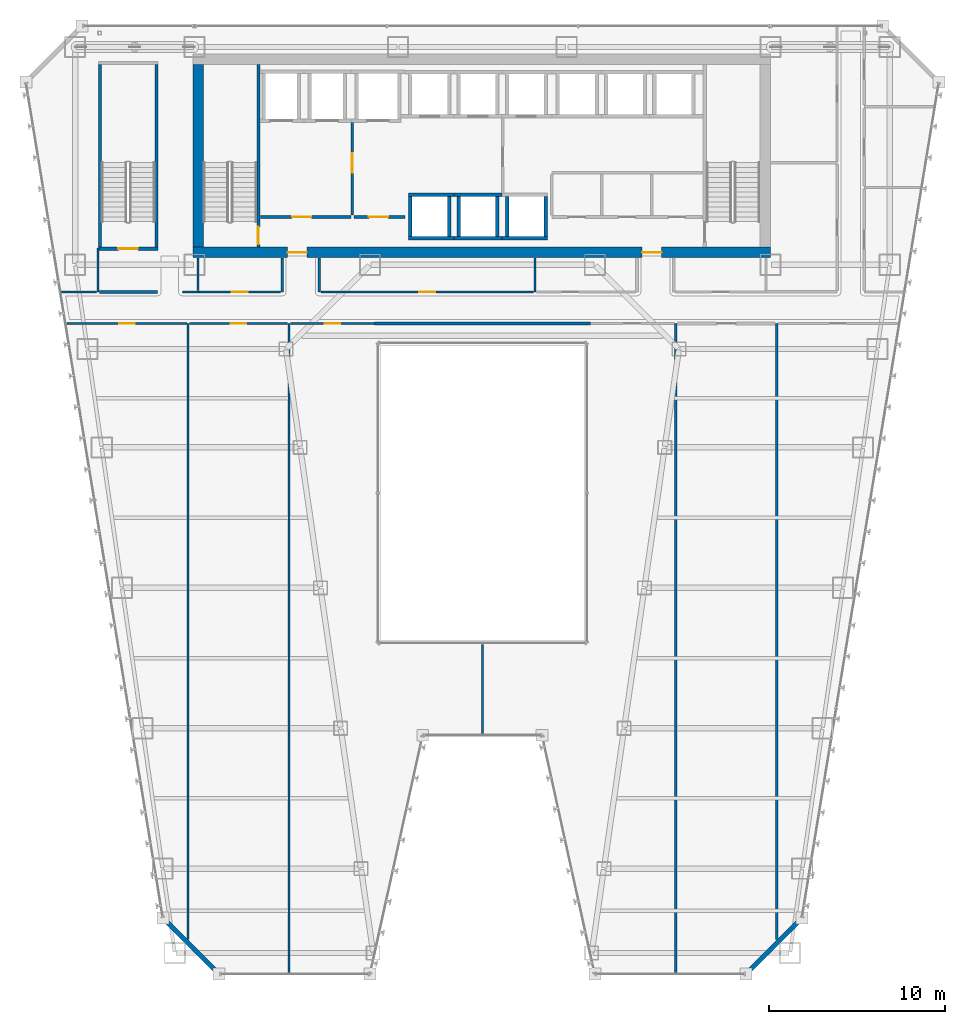
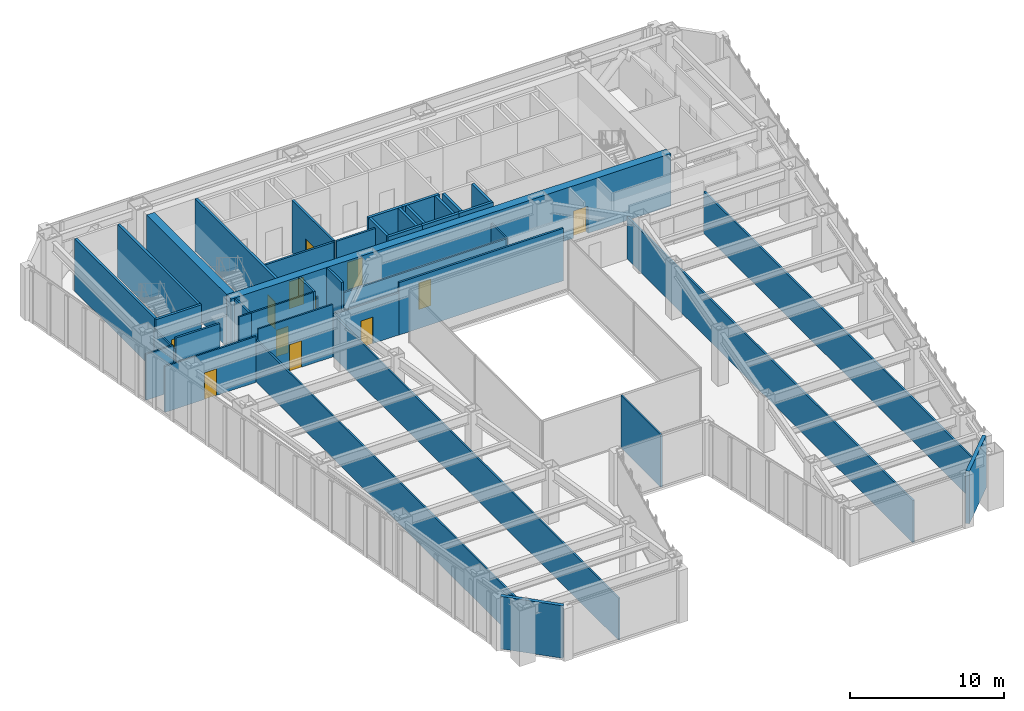
# One storey, part 36 of 49: 41 walls, 12 doors, 12 openings.
"""IFC4 building model written with IfcOpenShell, lengths in metres."""

from ifc_helpers import new_model, si_unit, direction, frame, frame_2d, origin, place, context, subcontext, project, spatial, rectangle, extrude, material, layer, layer_set, type_object, element, fill, save


model = new_model("IFC4")

# Units and contexts
model_context = context("Model", 3, precision=1e-05, world=origin(), true_north=direction((0.0, 1.0)))
body_context = subcontext(model_context, "Body", "Model", "MODEL_VIEW")
ifc_project = project(units=[si_unit("LENGTHUNIT", "METRE"), si_unit("AREAUNIT", "SQUARE_METRE"), si_unit("VOLUMEUNIT", "CUBIC_METRE"), si_unit("PLANEANGLEUNIT", "RADIAN"), si_unit("MASSUNIT", "GRAM", prefix="KILO")], contexts=[model_context])

# Site, building, storey
site_placement = place(None, origin())
site = spatial("IfcSite", under=ifc_project, at=site_placement, CompositionType="ELEMENT")
building_placement = place(site_placement, origin())
building = spatial("IfcBuilding", under=site, at=building_placement, Name="Saevonmaru Cultural Tower", CompositionType="ELEMENT")
storey_placement = place(building_placement, frame((0.0, 0.0, 73.60009765625)))
storey = spatial("IfcBuildingStorey", under=building, at=storey_placement, Name="L15", CompositionType="ELEMENT", Elevation=73.60009765625)

# Wall, openings, doors
ifc_material_1 = material(Name="Concrete C60/75", Category="concrete")
ifc_layer_1 = layer(ifc_material_1, 0.60009765625, Name="Concrete C60/75")
ifc_layer_set_1 = layer_set([ifc_layer_1], Name="Concrete C60/75")
wall_type_1 = type_object("IfcWallType", Name="WL-CORE-600", PredefinedType="SHEAR", material=ifc_layer_set_1)
wall_1_placement = place(storey_placement, frame((13.5, 43.10009765625, 0.0), z_axis=(0.0, 0.0, 1.0), x_axis=(1.0, 0.0, 0.0)))
wall_1 = element("IfcWall", 1, at=wall_1_placement, inside=storey, type_object=wall_type_1, Name="L15 Tower RC core shear wall S", PredefinedType="SHEAR", context=body_context, shape_type="SweptSolid", body=[
    extrude(rectangle(XDim=32.89990234375, YDim=0.60009765625, at=frame_2d((16.449951171875, 0.0))), origin(), (0.0, 0.0, 1.0), 4.14990234375),
])
opening_1_placement = place(wall_1_placement, frame((5.39990234375, 0.0, 0.0)))
opening_1 = element("IfcOpeningElement", 2, at=opening_1_placement, cuts=wall_1, Name="Opening FD-2", PredefinedType="OPENING", context=body_context, shape_type="SweptSolid", body=[
    extrude(rectangle(XDim=1.10009765625, YDim=2.14990234375, at=frame_2d((0.550048828125, 1.074951171875))), frame((0.0, 0.31005859375, 0.0), z_axis=(0.0, -1.0, 0.0), x_axis=(1.0, 0.0, 0.0)), (0.0, 0.0, 1.0), 0.6201171875),
])
opening_2_placement = place(wall_1_placement, frame((25.60009765625, 0.0, 0.0)))
opening_2 = element("IfcOpeningElement", 3, at=opening_2_placement, cuts=wall_1, Name="Opening FD-2", PredefinedType="OPENING", context=body_context, shape_type="SweptSolid", body=[
    extrude(rectangle(XDim=1.10009765625, YDim=2.14990234375, at=frame_2d((0.550048828125, 1.074951171875))), frame((0.0, 0.31005859375, 0.0), z_axis=(0.0, -1.0, 0.0), x_axis=(1.0, 0.0, 0.0)), (0.0, 0.0, 1.0), 0.6201171875),
])
ifc_material_2 = material(Name="Satin Bronze Anodised Aluminium", Category="aluminium")
door_type_1 = type_object("IfcDoorType", Name="DR-FD60-1100", OperationType="SINGLE_SWING_LEFT", PredefinedType="DOOR", material=ifc_material_2)
door_1_placement = place(opening_1_placement, origin())
door_1 = element("IfcDoor", 4, at=door_1_placement, inside=storey, type_object=door_type_1, Name="L15 Core West Lobby Fire Door", OperationType="SINGLE_SWING_LEFT", OverallHeight=2.14990234375, OverallWidth=1.10009765625, PredefinedType="DOOR", context=body_context, shape_type="SweptSolid", body=[
    extrude(rectangle(XDim=1.10009765625, YDim=2.14990234375, at=frame_2d((0.550048828125, 1.074951171875))), frame((0.0, 0.02490234375, 0.0), z_axis=(0.0, -1.0, 0.0), x_axis=(1.0, 0.0, 0.0)), (0.0, 0.0, 1.0), 0.050048828125),
])
fill(opening_1, door_1)
door_2_placement = place(opening_2_placement, origin())
door_2 = element("IfcDoor", 5, at=door_2_placement, inside=storey, type_object=door_type_1, Name="L15 Core East Lobby Fire Door", OperationType="SINGLE_SWING_LEFT", OverallHeight=2.14990234375, OverallWidth=1.10009765625, PredefinedType="DOOR", context=body_context, shape_type="SweptSolid", body=[
    extrude(rectangle(XDim=1.10009765625, YDim=2.14990234375, at=frame_2d((0.550048828125, 1.074951171875))), frame((0.0, 0.02490234375, 0.0), z_axis=(0.0, -1.0, 0.0), x_axis=(1.0, 0.0, 0.0)), (0.0, 0.0, 1.0), 0.050048828125),
])
fill(opening_2, door_2)

# Wall
wall_2_placement = place(storey_placement, frame((13.800048828125, 43.39990234375, 0.0), z_axis=(0.0, 0.0, 1.0), x_axis=(0.0, 1.0, 0.0)))
element("IfcWall", 6, at=wall_2_placement, inside=storey, type_object=wall_type_1, Name="L15 Tower RC core shear wall W", PredefinedType="SHEAR", context=body_context, shape_type="SweptSolid", body=[
    extrude(rectangle(XDim=10.400146484375, YDim=0.60009765625, at=frame_2d((5.2001953125, 0.0))), origin(), (0.0, 0.0, 1.0), 4.14990234375),
])

# Wall, opening, door
ifc_material_3 = material(Name="Gypsum Fireboard Partition", Category="gypsum")
ifc_layer_2 = layer(ifc_material_3, 0.14990234375, Name="Gypsum Fireboard Partition")
ifc_layer_set_2 = layer_set([ifc_layer_2], Name="Gypsum Fireboard Partition")
wall_type_2 = type_object("IfcWallType", Name="WL-CORE-PART-150", PredefinedType="PARTITIONING", material=ifc_layer_set_2)
wall_3_placement = place(storey_placement, frame((17.360107421875, 45.1201171875, 0.0), z_axis=(0.0, 0.0, 1.0), x_axis=(1.0, 0.0, 0.0)))
wall_3 = element("IfcWall", 7, at=wall_3_placement, inside=storey, type_object=wall_type_2, Name="L15 Firefighting Lift Lobby South Wall", PredefinedType="PARTITIONING", context=body_context, shape_type="SweptSolid", body=[
    extrude(rectangle(XDim=5.139892578125, YDim=0.14990234375, at=frame_2d((2.56982421875, 0.0))), origin(), (0.0, 0.0, 1.0), 4.14990234375),
])
opening_3_placement = place(wall_3_placement, frame((1.800048828125, 0.0, 0.0)))
opening_3 = element("IfcOpeningElement", 8, at=opening_3_placement, cuts=wall_3, Name="Opening FD-2", PredefinedType="OPENING", context=body_context, shape_type="SweptSolid", body=[
    extrude(rectangle(XDim=1.10009765625, YDim=2.14990234375, at=frame_2d((0.550048828125, 1.074951171875))), frame((0.0, 0.0849609375, 0.0), z_axis=(0.0, -1.0, 0.0), x_axis=(1.0, 0.0, 0.0)), (0.0, 0.0, 1.0), 0.169921875),
])
door_3_placement = place(opening_3_placement, origin())
door_3 = element("IfcDoor", 9, at=door_3_placement, inside=storey, type_object=door_type_1, Name="L15 Firefighting Lift Lobby South Door", OperationType="SINGLE_SWING_LEFT", OverallHeight=2.14990234375, OverallWidth=1.10009765625, PredefinedType="DOOR", context=body_context, shape_type="SweptSolid", body=[
    extrude(rectangle(XDim=1.10009765625, YDim=2.14990234375, at=frame_2d((0.550048828125, 1.074951171875))), frame((0.0, 0.02490234375, 0.0), z_axis=(0.0, -1.0, 0.0), x_axis=(1.0, 0.0, 0.0)), (0.0, 0.0, 1.0), 0.050048828125),
])
fill(opening_3, door_3)

wall_4_placement = place(storey_placement, frame((22.580078125, 50.550048828125, 0.0), z_axis=(0.0, 0.0, 1.0), x_axis=(0.0, -1.0, 0.0)))
wall_4 = element("IfcWall", 10, at=wall_4_placement, inside=storey, type_object=wall_type_2, Name="L15 Firefighting Lift Lobby East Wall", PredefinedType="PARTITIONING", context=body_context, shape_type="SweptSolid", body=[
    extrude(rectangle(XDim=5.330078125, YDim=0.14990234375, at=frame_2d((2.6650390625, 0.0))), origin(), (0.0, 0.0, 1.0), 4.14990234375),
])
opening_4_placement = place(wall_4_placement, frame((1.800048828125, 0.0, 0.0)))
opening_4 = element("IfcOpeningElement", 11, at=opening_4_placement, cuts=wall_4, Name="Opening FD-2", PredefinedType="OPENING", context=body_context, shape_type="SweptSolid", body=[
    extrude(rectangle(XDim=1.10009765625, YDim=2.14990234375, at=frame_2d((0.550048828125, 1.074951171875))), frame((0.0, 0.0849609375, 0.0), z_axis=(0.0, -1.0, 0.0), x_axis=(1.0, 0.0, 0.0)), (0.0, 0.0, 1.0), 0.169921875),
])
door_4_placement = place(opening_4_placement, origin())
door_4 = element("IfcDoor", 12, at=door_4_placement, inside=storey, type_object=door_type_1, Name="L15 Firefighting Lift Lobby East Door", OperationType="SINGLE_SWING_LEFT", OverallHeight=2.14990234375, OverallWidth=1.10009765625, PredefinedType="DOOR", context=body_context, shape_type="SweptSolid", body=[
    extrude(rectangle(XDim=1.10009765625, YDim=2.14990234375, at=frame_2d((0.550048828125, 1.074951171875))), frame((0.0, 0.02490234375, 0.0), z_axis=(0.0, -1.0, 0.0), x_axis=(1.0, 0.0, 0.0)), (0.0, 0.0, 1.0), 0.050048828125),
])
fill(opening_4, door_4)

wall_5_placement = place(storey_placement, frame((22.679931640625, 45.1201171875, 0.0), z_axis=(0.0, 0.0, 1.0), x_axis=(1.0, 0.0, 0.0)))
wall_5 = element("IfcWall", 13, at=wall_5_placement, inside=storey, type_object=wall_type_2, Name="L15 Service Lift Vestibule Wall", PredefinedType="PARTITIONING", context=body_context, shape_type="SweptSolid", body=[
    extrude(rectangle(XDim=2.920166015625, YDim=0.14990234375, at=frame_2d((1.4599609375, 0.0))), origin(), (0.0, 0.0, 1.0), 4.14990234375),
])
opening_5_placement = place(wall_5_placement, frame((0.85009765625, 0.0, 0.0)))
opening_5 = element("IfcOpeningElement", 14, at=opening_5_placement, cuts=wall_5, Name="Opening FD-2", PredefinedType="OPENING", context=body_context, shape_type="SweptSolid", body=[
    extrude(rectangle(XDim=1.10009765625, YDim=2.14990234375, at=frame_2d((0.550048828125, 1.074951171875))), frame((0.0, 0.0849609375, 0.0), z_axis=(0.0, -1.0, 0.0), x_axis=(1.0, 0.0, 0.0)), (0.0, 0.0, 1.0), 0.169921875),
])
door_5_placement = place(opening_5_placement, origin())
door_5 = element("IfcDoor", 15, at=door_5_placement, inside=storey, type_object=door_type_1, Name="L15 Service Lift Vestibule Door", OperationType="SINGLE_SWING_LEFT", OverallHeight=2.14990234375, OverallWidth=1.10009765625, PredefinedType="DOOR", context=body_context, shape_type="SweptSolid", body=[
    extrude(rectangle(XDim=1.10009765625, YDim=2.14990234375, at=frame_2d((0.550048828125, 1.074951171875))), frame((0.0, 0.02490234375, 0.0), z_axis=(0.0, -1.0, 0.0), x_axis=(1.0, 0.0, 0.0)), (0.0, 0.0, 1.0), 0.050048828125),
])
fill(opening_5, door_5)

# Walls
ifc_material_4 = material(Name="Granite-Clad Precast Concrete C40/50", Category="masonry")
ifc_layer_3 = layer(ifc_material_4, 0.260009765625, Name="Granite-Clad Precast Concrete C40/50")
ifc_layer_set_3 = layer_set([ifc_layer_3], Name="Granite-Clad Precast Concrete C40/50")
wall_type_3 = type_object("IfcWallType", Name="WL-EXT-SPANDREL-260", PredefinedType="STANDARD", material=ifc_layer_set_3)
for number, where, z_axis, x_axis, name in (
    (16, (11.9130859375, 5.0869140625, 0.0), (0.0, 0.0, 1.0), (0.707106781187, -0.707106781187, 0.0), "L15 Chamfer Corner Spandrel Wall E1"),
    (17, (45.113037109375, 2.113037109375, 0.0), (0.0, 0.0, 1.0), (0.707106781187, 0.707106781187, 0.0), "L15 Chamfer Corner Spandrel Wall E7"),
):
    element("IfcWall", number, at=place(storey_placement, frame(where, z_axis=z_axis, x_axis=x_axis)), inside=storey, type_object=wall_type_3, Name=name, PredefinedType="STANDARD", context=body_context, shape_type="SweptSolid", body=[
        extrude(rectangle(XDim=4.205810546875, YDim=0.260009765625, at=frame_2d((2.10302734375, 0.0))), origin(), (0.0, 0.0, 1.0), 4.14990234375),
    ])
ifc_layer_4 = layer(ifc_material_3, 0.14990234375, Name="Gypsum Fireboard Partition")
ifc_layer_set_4 = layer_set([ifc_layer_4], Name="Gypsum Fireboard Partition")
wall_type_4 = type_object("IfcWallType", Name="WL-PART-FIRE-150", PredefinedType="PARTITIONING", material=ifc_layer_set_4)
wall_6_placement = place(storey_placement, frame((8.179931640625, 40.85009765625, 0.0), z_axis=(0.0, 0.0, 1.0), x_axis=(1.0, 0.0, 0.0)))
element("IfcWall", 18, at=wall_6_placement, inside=storey, type_object=wall_type_4, Name="L15 Stair ST-3 South Vestibule Wall", PredefinedType="PARTITIONING", context=body_context, shape_type="SweptSolid", body=[
    extrude(rectangle(XDim=3.300048828125, YDim=0.14990234375, at=frame_2d((1.64990234375, 0.0))), origin(), (0.0, 0.0, 1.0), 4.14990234375),
])
for number, where, z_axis, x_axis, name in (
    (19, (18.60009765625, 40.85009765625, 0.0), (0.0, 0.0, 1.0), (0.0, 1.0, 0.0), "L15 Core Portal Side Wall W1"),
    (20, (20.699951171875, 40.85009765625, 0.0), (0.0, 0.0, 1.0), (0.0, 1.0, 0.0), "L15 Core Portal Side Wall W2"),
):
    element("IfcWall", number, at=place(storey_placement, frame(where, z_axis=z_axis, x_axis=x_axis)), inside=storey, type_object=wall_type_4, Name=name, PredefinedType="PARTITIONING", context=body_context, shape_type="SweptSolid", body=[
        extrude(rectangle(XDim=1.929931640625, YDim=0.14990234375, at=frame_2d((0.96484375, 0.0))), origin(), (0.0, 0.0, 1.0), 4.14990234375),
    ])
wall_7_placement = place(storey_placement, frame((23.85009765625, 39.050048828125, 0.0), z_axis=(0.0, 0.0, 1.0), x_axis=(1.0, 0.0, 0.0)))
element("IfcWall", 21, at=wall_7_placement, inside=storey, type_object=wall_type_4, Name="L15 North Atrium Corridor Wall", PredefinedType="PARTITIONING", context=body_context, shape_type="SweptSolid", body=[
    extrude(rectangle(XDim=12.2998046875, YDim=0.14990234375, at=frame_2d((6.14990234375, 0.0))), origin(), (0.0, 0.0, 1.0), 4.14990234375),
])
ifc_layer_5 = layer(ifc_material_3, 0.1201171875, Name="Gypsum Fireboard Partition")
ifc_layer_set_5 = layer_set([ifc_layer_5], Name="Gypsum Fireboard Partition")
wall_type_5 = type_object("IfcWallType", Name="WL-PART-GYP-120", PredefinedType="PARTITIONING", material=ifc_layer_set_5)
wall_8_placement = place(storey_placement, frame((12.919921875, 40.85009765625, 0.0), z_axis=(0.0, 0.0, 1.0), x_axis=(1.0, 0.0, 0.0)))
element("IfcWall", 22, at=wall_8_placement, inside=storey, type_object=wall_type_5, Name="L15 NW Inner South Wall", PredefinedType="PARTITIONING", context=body_context, shape_type="SweptSolid", body=[
    extrude(rectangle(XDim=0.93017578125, YDim=0.1201171875, at=frame_2d((0.465087890625, 0.0))), origin(), (0.0, 0.0, 1.0), 4.14990234375),
])
wall_9_placement = place(storey_placement, frame((13.800048828125, 40.929931640625, 0.0), z_axis=(0.0, 0.0, 1.0), x_axis=(0.0, 1.0, 0.0)))
element("IfcWall", 23, at=wall_9_placement, inside=storey, type_object=wall_type_5, Name="L15 NW Inner Core Return", PredefinedType="PARTITIONING", context=body_context, shape_type="SweptSolid", body=[
    extrude(rectangle(XDim=1.85009765625, YDim=0.1201171875, at=frame_2d((0.925048828125, 0.0))), origin(), (0.0, 0.0, 1.0), 4.14990234375),
])
wall_10_placement = place(storey_placement, frame((8.10009765625, 40.85009765625, 0.0), z_axis=(0.0, 0.0, 1.0), x_axis=(0.0, 1.0, 0.0)))
element("IfcWall", 24, at=wall_10_placement, inside=storey, type_object=wall_type_5, Name="L15 NW Stair Return", PredefinedType="PARTITIONING", context=body_context, shape_type="SweptSolid", body=[
    extrude(rectangle(XDim=2.5, YDim=0.1201171875, at=frame_2d((1.25, 0.0))), origin(), (0.0, 0.0, 1.0), 3.3349609375),
])
wall_11_placement = place(storey_placement, frame((5.96337890625, 40.85009765625, 0.0), z_axis=(0.0, 0.0, 1.0), x_axis=(1.0, 0.0, 0.0)))
element("IfcWall", 25, at=wall_11_placement, inside=storey, type_object=wall_type_5, Name="L15 Printmaking Workshop Classroom Corridor Wall", PredefinedType="PARTITIONING", context=body_context, shape_type="SweptSolid", body=[
    extrude(rectangle(XDim=2.056640625, YDim=0.1201171875, at=frame_2d((1.0283203125, 0.0))), origin(), (0.0, 0.0, 1.0), 3.635009765625),
])

# Wall, opening, door
wall_12_placement = place(storey_placement, frame((13.85009765625, 40.85009765625, 0.0), z_axis=(0.0, 0.0, 1.0), x_axis=(1.0, 0.0, 0.0)))
wall_12 = element("IfcWall", 26, at=wall_12_placement, inside=storey, type_object=wall_type_5, Name="L15 Design Seminar Classroom Corridor Wall", PredefinedType="PARTITIONING", context=body_context, shape_type="SweptSolid", body=[
    extrude(rectangle(XDim=4.65478515625, YDim=0.1201171875, at=frame_2d((2.327392578125, 0.0))), origin(), (0.0, 0.0, 1.0), 4.14990234375),
])
opening_6_placement = place(wall_12_placement, frame((1.876953125, 0.0, 0.0)))
opening_6 = element("IfcOpeningElement", 27, at=opening_6_placement, cuts=wall_12, Name="Opening ID-2", PredefinedType="OPENING", context=body_context, shape_type="SweptSolid", body=[
    extrude(rectangle(XDim=0.89990234375, YDim=2.10009765625, at=frame_2d((0.449951171875, 1.050048828125))), frame((0.0, 0.070068359375, 0.0), z_axis=(0.0, -1.0, 0.0), x_axis=(1.0, 0.0, 0.0)), (0.0, 0.0, 1.0), 0.14013671875),
])
ifc_material_5 = material(Name="Acoustic Stained Oak Timber", Category="wood")
door_type_2 = type_object("IfcDoorType", Name="DR-INT-900", OperationType="SINGLE_SWING_RIGHT", PredefinedType="DOOR", material=ifc_material_5)
door_6_placement = place(opening_6_placement, origin())
door_6 = element("IfcDoor", 28, at=door_6_placement, inside=storey, type_object=door_type_2, Name="L15 Design Seminar Classroom Door", OperationType="SINGLE_SWING_LEFT", OverallHeight=2.10009765625, OverallWidth=0.89990234375, PredefinedType="DOOR", context=body_context, shape_type="SweptSolid", body=[
    extrude(rectangle(XDim=0.89990234375, YDim=2.10009765625, at=frame_2d((0.449951171875, 1.050048828125))), frame((0.0, 0.02490234375, 0.0), z_axis=(0.0, -1.0, 0.0), x_axis=(1.0, 0.0, 0.0)), (0.0, 0.0, 1.0), 0.050048828125),
])
fill(opening_6, door_6)

# Wall
wall_13_placement = place(storey_placement, frame((33.0, 40.85009765625, 0.0), z_axis=(0.0, 0.0, 1.0), x_axis=(0.0, 1.0, 0.0)))
element("IfcWall", 29, at=wall_13_placement, inside=storey, type_object=wall_type_5, Name="L15 Spine Alcove Split", PredefinedType="PARTITIONING", context=body_context, shape_type="SweptSolid", body=[
    extrude(rectangle(XDim=1.929931640625, YDim=0.1201171875, at=frame_2d((0.96484375, 0.0))), origin(), (0.0, 0.0, 1.0), 3.3349609375),
])

# Wall, opening, door
wall_14_placement = place(storey_placement, frame((20.794921875, 40.85009765625, 0.0), z_axis=(0.0, 0.0, 1.0), x_axis=(1.0, 0.0, 0.0)))
wall_14 = element("IfcWall", 30, at=wall_14_placement, inside=storey, type_object=wall_type_5, Name="L15 Design Seminar Classroom Corridor Wall", PredefinedType="PARTITIONING", context=body_context, shape_type="SweptSolid", body=[
    extrude(rectangle(XDim=12.125, YDim=0.1201171875, at=frame_2d((6.0625, 0.0))), origin(), (0.0, 0.0, 1.0), 3.3349609375),
])
opening_7_placement = place(wall_14_placement, frame((5.612060546875, 0.0, 0.0)))
opening_7 = element("IfcOpeningElement", 31, at=opening_7_placement, cuts=wall_14, Name="Opening ID-2", PredefinedType="OPENING", context=body_context, shape_type="SweptSolid", body=[
    extrude(rectangle(XDim=0.89990234375, YDim=2.10009765625, at=frame_2d((0.449951171875, 1.050048828125))), frame((0.0, 0.070068359375, 0.0), z_axis=(0.0, -1.0, 0.0), x_axis=(1.0, 0.0, 0.0)), (0.0, 0.0, 1.0), 0.14013671875),
])
door_7_placement = place(opening_7_placement, origin())
door_7 = element("IfcDoor", 32, at=door_7_placement, inside=storey, type_object=door_type_2, Name="L15 Design Seminar Classroom Door", OperationType="SINGLE_SWING_RIGHT", OverallHeight=2.10009765625, OverallWidth=0.89990234375, PredefinedType="DOOR", context=body_context, shape_type="SweptSolid", body=[
    extrude(rectangle(XDim=0.89990234375, YDim=2.10009765625, at=frame_2d((0.449951171875, 1.050048828125))), frame((0.0, 0.02490234375, 0.0), z_axis=(0.0, -1.0, 0.0), x_axis=(1.0, 0.0, 0.0)), (0.0, 0.0, 1.0), 0.050048828125),
])
fill(opening_7, door_7)

# Walls
wall_15_placement = place(storey_placement, frame((13.239990234375, 3.97216796875, 0.0), z_axis=(0.0, 0.0, 1.0), x_axis=(0.0, 1.0, 0.0)))
element("IfcWall", 33, at=wall_15_placement, inside=storey, type_object=wall_type_5, Name="L15 West Bay Divider 1", PredefinedType="PARTITIONING", context=body_context, shape_type="SweptSolid", body=[
    extrude(rectangle(XDim=35.077880859375, YDim=0.1201171875, at=frame_2d((17.5390625, 0.0))), origin(), (0.0, 0.0, 1.0), 3.3349609375),
])
wall_16_placement = place(storey_placement, frame((18.97998046875, 2.0048828125, 0.0), z_axis=(0.0, 0.0, 1.0), x_axis=(0.0, 1.0, 0.0)))
element("IfcWall", 34, at=wall_16_placement, inside=storey, type_object=wall_type_5, Name="L15 West Bay Divider 2", PredefinedType="PARTITIONING", context=body_context, shape_type="SweptSolid", body=[
    extrude(rectangle(XDim=37.045166015625, YDim=0.1201171875, at=frame_2d((18.5224609375, 0.0))), origin(), (0.0, 0.0, 1.0), 3.3349609375),
])
wall_17_placement = place(storey_placement, frame((30.0, 15.60498046875, 0.0), z_axis=(0.0, 0.0, 1.0), x_axis=(0.0, 1.0, 0.0)))
element("IfcWall", 35, at=wall_17_placement, inside=storey, type_object=wall_type_5, Name="L15 South Atrium Center Split", PredefinedType="PARTITIONING", context=body_context, shape_type="SweptSolid", body=[
    extrude(rectangle(XDim=5.175048828125, YDim=0.1201171875, at=frame_2d((2.58740234375, 0.0))), origin(), (0.0, 0.0, 1.0), 4.14990234375),
])

# Wall, opening, door
wall_18_placement = place(storey_placement, frame((6.348388671875, 39.050048828125, 0.0), z_axis=(0.0, 0.0, 1.0), x_axis=(1.0, 0.0, 0.0)))
wall_18 = element("IfcWall", 36, at=wall_18_placement, inside=storey, type_object=wall_type_5, Name="L15 Design Seminar Classroom Corridor Wall", PredefinedType="PARTITIONING", context=body_context, shape_type="SweptSolid", body=[
    extrude(rectangle(XDim=6.8115234375, YDim=0.1201171875, at=frame_2d((3.40576171875, 0.0))), origin(), (0.0, 0.0, 1.0), 3.635009765625),
])
opening_8_placement = place(wall_18_placement, frame((2.9560546875, 0.0, 0.0)))
opening_8 = element("IfcOpeningElement", 37, at=opening_8_placement, cuts=wall_18, Name="Opening ID-2", PredefinedType="OPENING", context=body_context, shape_type="SweptSolid", body=[
    extrude(rectangle(XDim=0.89990234375, YDim=2.10009765625, at=frame_2d((0.449951171875, 1.050048828125))), frame((0.0, 0.070068359375, 0.0), z_axis=(0.0, -1.0, 0.0), x_axis=(1.0, 0.0, 0.0)), (0.0, 0.0, 1.0), 0.14013671875),
])
door_8_placement = place(opening_8_placement, origin())
door_8 = element("IfcDoor", 38, at=door_8_placement, inside=storey, type_object=door_type_2, Name="L15 Design Seminar Classroom Door", OperationType="SINGLE_SWING_LEFT", OverallHeight=2.10009765625, OverallWidth=0.89990234375, PredefinedType="DOOR", context=body_context, shape_type="SweptSolid", body=[
    extrude(rectangle(XDim=0.89990234375, YDim=2.10009765625, at=frame_2d((0.449951171875, 1.050048828125))), frame((0.0, 0.02490234375, 0.0), z_axis=(0.0, -1.0, 0.0), x_axis=(1.0, 0.0, 0.0)), (0.0, 0.0, 1.0), 0.050048828125),
])
fill(opening_8, door_8)

wall_19_placement = place(storey_placement, frame((13.320068359375, 39.050048828125, 0.0), z_axis=(0.0, 0.0, 1.0), x_axis=(1.0, 0.0, 0.0)))
wall_19 = element("IfcWall", 39, at=wall_19_placement, inside=storey, type_object=wall_type_5, Name="L15 Printmaking Workshop Classroom Corridor Wall", PredefinedType="PARTITIONING", context=body_context, shape_type="SweptSolid", body=[
    extrude(rectangle(XDim=5.579833984375, YDim=0.1201171875, at=frame_2d((2.7900390625, 0.0))), origin(), (0.0, 0.0, 1.0), 4.14990234375),
])
opening_9_placement = place(wall_19_placement, frame((2.340087890625, 0.0, 0.0)))
opening_9 = element("IfcOpeningElement", 40, at=opening_9_placement, cuts=wall_19, Name="Opening ID-2", PredefinedType="OPENING", context=body_context, shape_type="SweptSolid", body=[
    extrude(rectangle(XDim=0.89990234375, YDim=2.10009765625, at=frame_2d((0.449951171875, 1.050048828125))), frame((0.0, 0.070068359375, 0.0), z_axis=(0.0, -1.0, 0.0), x_axis=(1.0, 0.0, 0.0)), (0.0, 0.0, 1.0), 0.14013671875),
])
door_9_placement = place(opening_9_placement, origin())
door_9 = element("IfcDoor", 41, at=door_9_placement, inside=storey, type_object=door_type_2, Name="L15 Printmaking Workshop Classroom Door", OperationType="SINGLE_SWING_RIGHT", OverallHeight=2.10009765625, OverallWidth=0.89990234375, PredefinedType="DOOR", context=body_context, shape_type="SweptSolid", body=[
    extrude(rectangle(XDim=0.89990234375, YDim=2.10009765625, at=frame_2d((0.449951171875, 1.050048828125))), frame((0.0, 0.02490234375, 0.0), z_axis=(0.0, -1.0, 0.0), x_axis=(1.0, 0.0, 0.0)), (0.0, 0.0, 1.0), 0.050048828125),
])
fill(opening_9, door_9)

wall_20_placement = place(storey_placement, frame((19.06005859375, 39.050048828125, 0.0), z_axis=(0.0, 0.0, 1.0), x_axis=(1.0, 0.0, 0.0)))
wall_20 = element("IfcWall", 42, at=wall_20_placement, inside=storey, type_object=wall_type_5, Name="L15 Typography Design Classroom Corridor Wall", PredefinedType="PARTITIONING", context=body_context, shape_type="SweptSolid", body=[
    extrude(rectangle(XDim=4.7900390625, YDim=0.1201171875, at=frame_2d((2.39501953125, 0.0))), origin(), (0.0, 0.0, 1.0), 3.3349609375),
])
opening_10_placement = place(wall_20_placement, frame((1.945068359375, 0.0, 0.0)))
opening_10 = element("IfcOpeningElement", 43, at=opening_10_placement, cuts=wall_20, Name="Opening ID-2", PredefinedType="OPENING", context=body_context, shape_type="SweptSolid", body=[
    extrude(rectangle(XDim=0.89990234375, YDim=2.10009765625, at=frame_2d((0.449951171875, 1.050048828125))), frame((0.0, 0.070068359375, 0.0), z_axis=(0.0, -1.0, 0.0), x_axis=(1.0, 0.0, 0.0)), (0.0, 0.0, 1.0), 0.14013671875),
])
door_10_placement = place(opening_10_placement, origin())
door_10 = element("IfcDoor", 44, at=door_10_placement, inside=storey, type_object=door_type_2, Name="L15 Typography Design Classroom Door", OperationType="SINGLE_SWING_LEFT", OverallHeight=2.10009765625, OverallWidth=0.89990234375, PredefinedType="DOOR", context=body_context, shape_type="SweptSolid", body=[
    extrude(rectangle(XDim=0.89990234375, YDim=2.10009765625, at=frame_2d((0.449951171875, 1.050048828125))), frame((0.0, 0.02490234375, 0.0), z_axis=(0.0, -1.0, 0.0), x_axis=(1.0, 0.0, 0.0)), (0.0, 0.0, 1.0), 0.050048828125),
])
fill(opening_10, door_10)

# Walls
ifc_layer_6 = layer(ifc_material_3, 0.135009765625, Name="Gypsum Fireboard Partition")
ifc_layer_set_6 = layer_set([ifc_layer_6], Name="Gypsum Fireboard Partition")
wall_type_6 = type_object("IfcWallType", Name="WL-PART-GYP-135", PredefinedType="PARTITIONING", material=ifc_layer_set_6)
wall_21_placement = place(storey_placement, frame((41.02001953125, 2.0048828125, 0.0), z_axis=(0.0, 0.0, 1.0), x_axis=(0.0, 1.0, 0.0)))
element("IfcWall", 45, at=wall_21_placement, inside=storey, type_object=wall_type_6, Name="L15 East Bay Divider 1", PredefinedType="PARTITIONING", context=body_context, shape_type="SweptSolid", body=[
    extrude(rectangle(XDim=37.045166015625, YDim=0.135009765625, at=frame_2d((18.5224609375, 0.0))), origin(), (0.0, 0.0, 1.0), 3.3349609375),
])
wall_22_placement = place(storey_placement, frame((46.760009765625, 3.97216796875, 0.0), z_axis=(0.0, 0.0, 1.0), x_axis=(0.0, 1.0, 0.0)))
element("IfcWall", 46, at=wall_22_placement, inside=storey, type_object=wall_type_6, Name="L15 East Bay Divider 2", PredefinedType="PARTITIONING", context=body_context, shape_type="SweptSolid", body=[
    extrude(rectangle(XDim=35.077880859375, YDim=0.135009765625, at=frame_2d((17.5390625, 0.0))), origin(), (0.0, 0.0, 1.0), 3.3349609375),
])
ifc_material_6 = material(Name="Concrete C40/50", Category="concrete")
ifc_layer_7 = layer(ifc_material_6, 0.199951171875, Name="Concrete C40/50")
ifc_layer_set_7 = layer_set([ifc_layer_7], Name="Concrete C40/50")
wall_type_7 = type_object("IfcWallType", Name="WL-SHAFT-200", PredefinedType="SHEAR", material=ifc_layer_set_7)
for number, where, z_axis, x_axis, name in (
    (47, (25.800048828125, 43.89990234375, 0.0), (0.0, 0.0, 1.0), (1.0, 0.0, 0.0), "L15 Lift PL-M1 Hoistway Wall S"),
    (48, (25.800048828125, 46.39990234375, 0.0), (0.0, 0.0, 1.0), (1.0, 0.0, 0.0), "L15 Lift PL-M1 Hoistway Wall N"),
):
    element("IfcWall", number, at=place(storey_placement, frame(where, z_axis=z_axis, x_axis=x_axis)), inside=storey, type_object=wall_type_7, Name=name, PredefinedType="SHEAR", context=body_context, shape_type="SweptSolid", body=[
        extrude(rectangle(XDim=2.574951171875, YDim=0.199951171875, at=frame_2d((1.28759765625, 0.0))), origin(), (0.0, 0.0, 1.0), 4.14990234375),
    ])
for number, where, z_axis, x_axis, name in (
    (49, (25.89990234375, 44.0, 0.0), (0.0, 0.0, 1.0), (0.0, 1.0, 0.0), "L15 Lift PL-M1 Hoistway Wall W"),
    (50, (28.10009765625, 44.0, 0.0), (0.0, 0.0, 1.0), (0.0, 1.0, 0.0), "L15 Lift PL-M1 Hoistway Wall E"),
):
    element("IfcWall", number, at=place(storey_placement, frame(where, z_axis=z_axis, x_axis=x_axis)), inside=storey, type_object=wall_type_7, Name=name, PredefinedType="SHEAR", context=body_context, shape_type="SweptSolid", body=[
        extrude(rectangle(XDim=2.300048828125, YDim=0.199951171875, at=frame_2d((1.14990234375, 0.0))), origin(), (0.0, 0.0, 1.0), 4.14990234375),
    ])
for number, where, z_axis, x_axis, name in (
    (51, (28.375, 43.89990234375, 0.0), (0.0, 0.0, 1.0), (1.0, 0.0, 0.0), "L15 Lift PL-M2 Hoistway Wall S"),
    (52, (28.375, 46.39990234375, 0.0), (0.0, 0.0, 1.0), (1.0, 0.0, 0.0), "L15 Lift PL-M2 Hoistway Wall N"),
):
    element("IfcWall", number, at=place(storey_placement, frame(where, z_axis=z_axis, x_axis=x_axis)), inside=storey, type_object=wall_type_7, Name=name, PredefinedType="SHEAR", context=body_context, shape_type="SweptSolid", body=[
        extrude(rectangle(XDim=2.75, YDim=0.199951171875, at=frame_2d((1.375, 0.0))), origin(), (0.0, 0.0, 1.0), 4.14990234375),
    ])
for number, where, z_axis, x_axis, name in (
    (53, (28.64990234375, 44.0, 0.0), (0.0, 0.0, 1.0), (0.0, 1.0, 0.0), "L15 Lift PL-M2 Hoistway Wall W"),
    (54, (30.85009765625, 44.0, 0.0), (0.0, 0.0, 1.0), (0.0, 1.0, 0.0), "L15 Lift PL-M2 Hoistway Wall E"),
):
    element("IfcWall", number, at=place(storey_placement, frame(where, z_axis=z_axis, x_axis=x_axis)), inside=storey, type_object=wall_type_7, Name=name, PredefinedType="SHEAR", context=body_context, shape_type="SweptSolid", body=[
        extrude(rectangle(XDim=2.300048828125, YDim=0.199951171875, at=frame_2d((1.14990234375, 0.0))), origin(), (0.0, 0.0, 1.0), 4.14990234375),
    ])
wall_23_placement = place(storey_placement, frame((31.125, 43.89990234375, 0.0), z_axis=(0.0, 0.0, 1.0), x_axis=(1.0, 0.0, 0.0)))
element("IfcWall", 55, at=wall_23_placement, inside=storey, type_object=wall_type_7, Name="L15 Lift PL-M3 Hoistway Wall S", PredefinedType="SHEAR", context=body_context, shape_type="SweptSolid", body=[
    extrude(rectangle(XDim=2.574951171875, YDim=0.199951171875, at=frame_2d((1.28759765625, 0.0))), origin(), (0.0, 0.0, 1.0), 4.14990234375),
])
for number, where, z_axis, x_axis, name in (
    (56, (31.39990234375, 44.0, 0.0), (0.0, 0.0, 1.0), (0.0, 1.0, 0.0), "L15 Lift PL-M3 Hoistway Wall W"),
    (57, (33.60009765625, 44.0, 0.0), (0.0, 0.0, 1.0), (0.0, 1.0, 0.0), "L15 Lift PL-M3 Hoistway Wall E"),
):
    element("IfcWall", number, at=place(storey_placement, frame(where, z_axis=z_axis, x_axis=x_axis)), inside=storey, type_object=wall_type_7, Name=name, PredefinedType="SHEAR", context=body_context, shape_type="SweptSolid", body=[
        extrude(rectangle(XDim=2.300048828125, YDim=0.199951171875, at=frame_2d((1.14990234375, 0.0))), origin(), (0.0, 0.0, 1.0), 4.14990234375),
    ])

# Wall, opening, door
ifc_layer_8 = layer(ifc_material_6, 0.179931640625, Name="Concrete C40/50")
ifc_layer_set_8 = layer_set([ifc_layer_8], Name="Concrete C40/50")
wall_type_8 = type_object("IfcWallType", Name="WL-STSHAFT-180", PredefinedType="SHEAR", material=ifc_layer_set_8)
wall_24_placement = place(storey_placement, frame((17.239990234375, 43.39990234375, 0.0), z_axis=(0.0, 0.0, 1.0), x_axis=(0.0, 1.0, 0.0)))
wall_24 = element("IfcWall", 58, at=wall_24_placement, inside=storey, type_object=wall_type_8, Name="L15 Stair ST-1 Structural Shaft Wall 1", PredefinedType="SHEAR", context=body_context, shape_type="SweptSolid", body=[
    extrude(rectangle(XDim=10.400146484375, YDim=0.179931640625, at=frame_2d((5.2001953125, 0.0))), origin(), (0.0, 0.0, 1.0), 4.14990234375),
])
opening_11_placement = place(wall_24_placement, frame((0.159912109375, 0.0, 0.0)))
opening_11 = element("IfcOpeningElement", 59, at=opening_11_placement, cuts=wall_24, Name="Opening FD-3", PredefinedType="OPENING", context=body_context, shape_type="SweptSolid", body=[
    extrude(rectangle(XDim=1.0, YDim=2.14990234375, at=frame_2d((0.5, 1.074951171875))), frame((0.0, 0.10009765625, 0.0), z_axis=(0.0, -1.0, 0.0), x_axis=(1.0, 0.0, 0.0)), (0.0, 0.0, 1.0), 0.199951171875),
])
door_type_3 = type_object("IfcDoorType", Name="DR-FD60-1000", OperationType="SINGLE_SWING_RIGHT", PredefinedType="DOOR", material=ifc_material_2)
door_11_placement = place(opening_11_placement, origin())
door_11 = element("IfcDoor", 60, at=door_11_placement, inside=storey, type_object=door_type_3, Name="L15 Protected Stair ST-1 Fire Door", OperationType="SINGLE_SWING_RIGHT", OverallHeight=2.14990234375, OverallWidth=1.0, PredefinedType="DOOR", context=body_context, shape_type="SweptSolid", body=[
    extrude(rectangle(XDim=1.0, YDim=2.14990234375, at=frame_2d((0.5, 1.074951171875))), frame((0.0, 0.02490234375, 0.0), z_axis=(0.0, -1.0, 0.0), x_axis=(1.0, 0.0, 0.0)), (0.0, 0.0, 1.0), 0.050048828125),
])
fill(opening_11, door_11)

wall_25_placement = place(storey_placement, frame((8.1201171875, 43.31005859375, 0.0), z_axis=(0.0, 0.0, 1.0), x_axis=(1.0, 0.0, 0.0)))
wall_25 = element("IfcWall", 61, at=wall_25_placement, inside=storey, type_object=wall_type_8, Name="L15 Stair ST-3 Structural Shaft Wall 1", PredefinedType="SHEAR", context=body_context, shape_type="SweptSolid", body=[
    extrude(rectangle(XDim=3.409912109375, YDim=0.179931640625, at=frame_2d((1.705078125, 0.0))), origin(), (0.0, 0.0, 1.0), 4.14990234375),
])
opening_12_placement = place(wall_25_placement, frame((1.14990234375, 0.0, 0.0)))
opening_12 = element("IfcOpeningElement", 62, at=opening_12_placement, cuts=wall_25, Name="Opening FD-2", PredefinedType="OPENING", context=body_context, shape_type="SweptSolid", body=[
    extrude(rectangle(XDim=1.10009765625, YDim=2.14990234375, at=frame_2d((0.550048828125, 1.074951171875))), frame((0.0, 0.10009765625, 0.0), z_axis=(0.0, -1.0, 0.0), x_axis=(1.0, 0.0, 0.0)), (0.0, 0.0, 1.0), 0.199951171875),
])
door_12_placement = place(opening_12_placement, origin())
door_12 = element("IfcDoor", 63, at=door_12_placement, inside=storey, type_object=door_type_1, Name="L15 Protected Stair ST-3 Fire Door", OperationType="SINGLE_SWING_LEFT", OverallHeight=2.14990234375, OverallWidth=1.10009765625, PredefinedType="DOOR", context=body_context, shape_type="SweptSolid", body=[
    extrude(rectangle(XDim=1.10009765625, YDim=2.14990234375, at=frame_2d((0.550048828125, 1.074951171875))), frame((0.0, 0.02490234375, 0.0), z_axis=(0.0, -1.0, 0.0), x_axis=(1.0, 0.0, 0.0)), (0.0, 0.0, 1.0), 0.050048828125),
])
fill(opening_12, door_12)

# Walls
for number, where, z_axis, x_axis, name in (
    (64, (11.43994140625, 43.39990234375, 0.0), (0.0, 0.0, 1.0), (0.0, 1.0, 0.0), "L15 Stair ST-3 Structural Shaft Wall 2"),
    (65, (8.2099609375, 53.800048828125, 0.0), (0.0, 0.0, 1.0), (0.0, -1.0, 0.0), "L15 Stair ST-3 Structural Shaft Wall 4"),
):
    element("IfcWall", number, at=place(storey_placement, frame(where, z_axis=z_axis, x_axis=x_axis)), inside=storey, type_object=wall_type_8, Name=name, PredefinedType="SHEAR", context=body_context, shape_type="SweptSolid", body=[
        extrude(rectangle(XDim=10.400146484375, YDim=0.179931640625, at=frame_2d((5.2001953125, 0.0))), origin(), (0.0, 0.0, 1.0), 4.14990234375),
    ])

save(model, "model.ifc")
